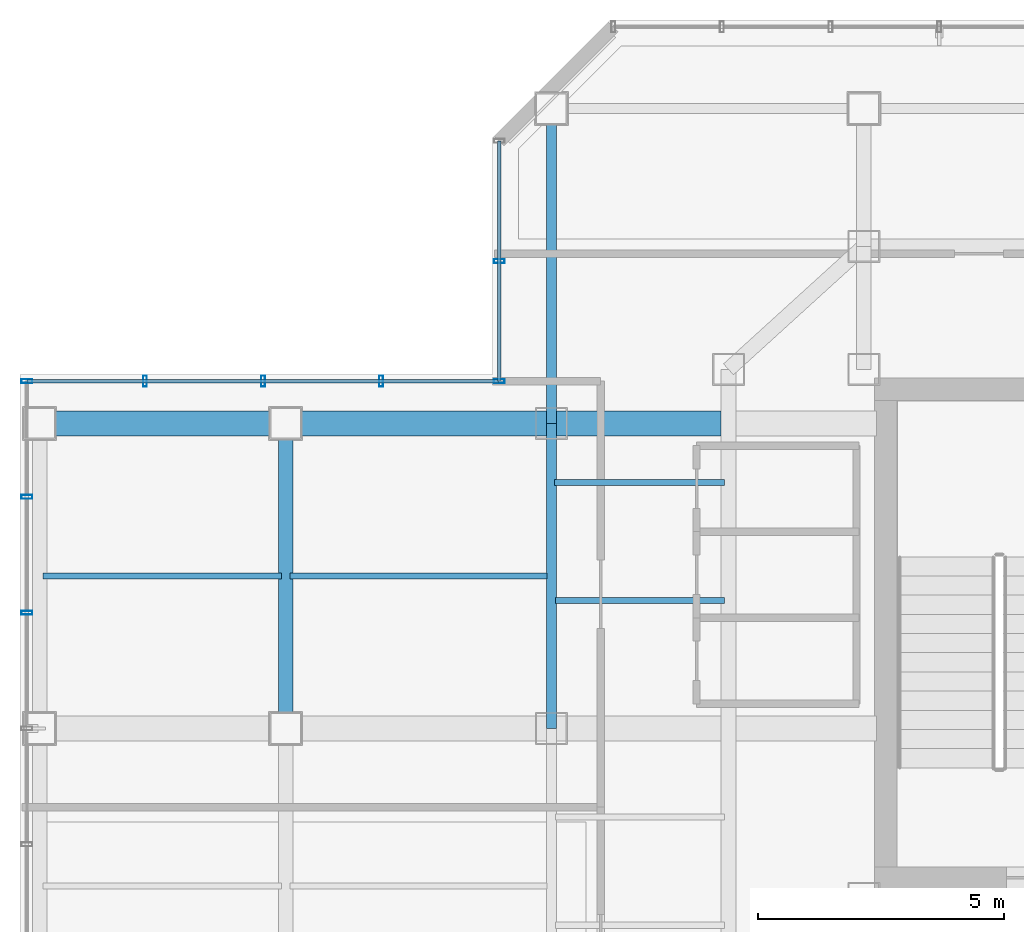
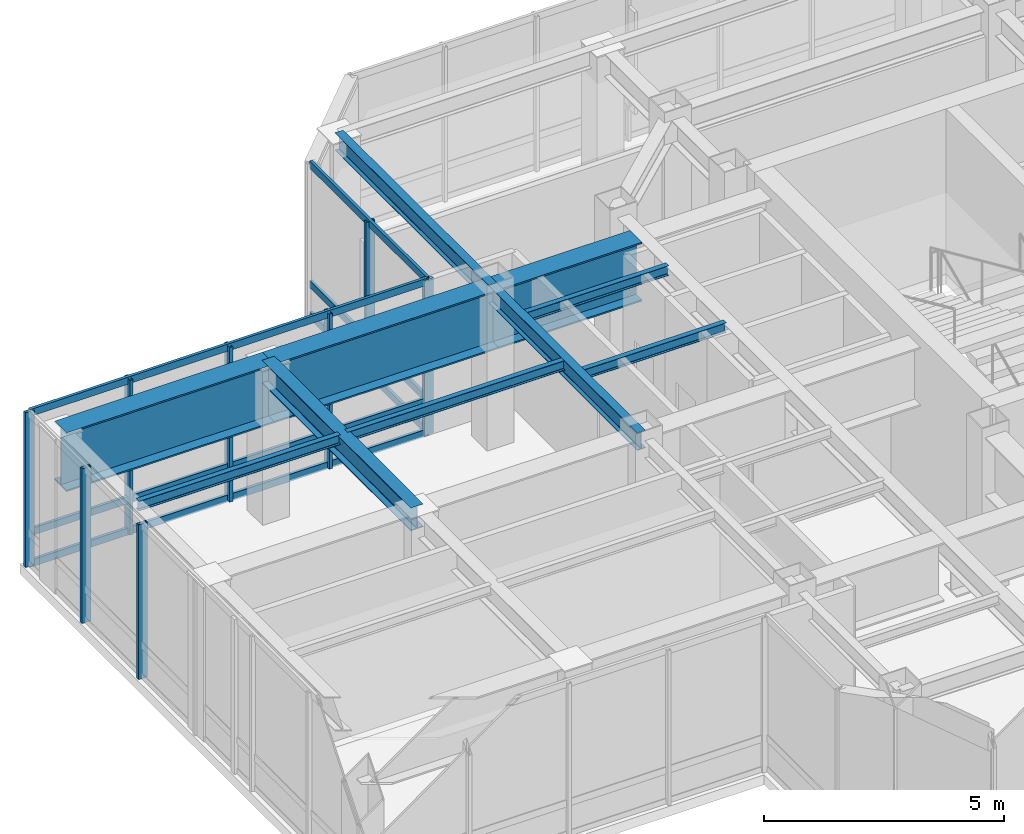
# One storey, part 7 of 22: 14 members, 10 beams, 3 elements without a shape of their own.
"""IFC4 building model written with IfcOpenShell, lengths in metres."""

import ifcopenshell
import ifcopenshell.guid

model = None  # the IFC model being written
_history = None  # IfcOwnerHistory: only IFC2X3 demands one
_inside = {}  # id of a spatial element -> (the spatial element, [elements in it])
_under = {}  # id of a project, library or spatial element -> (it, [spatial elements below it])
_declared = {}  # id of a project -> (the project, [libraries it declares])
_typed = {}  # id of a type object -> (the type object, [elements of that type])
_made_of = {}  # id of a material, layer set ... -> (it, [elements and type objects made of it])


def new_model(schema):
    """Start an empty IFC model of exactly this schema.

    Asked for "IFC4X3", IfcOpenShell would pick the latest addendum, in which some entities
    have other attributes; the version numbers below select the first issue.
    IFC2X3 requires an IfcOwnerHistory on every rooted entity: one is made here for all.
    """
    global model, _history
    if schema == "IFC4X3":
        model = ifcopenshell.file(schema_version=(4, 3, 0, 0))
    else:
        model = ifcopenshell.file(schema=schema)
    _inside.clear()
    _under.clear()
    _declared.clear()
    _typed.clear()
    _made_of.clear()
    _history = None
    if model.schema == "IFC2X3":
        org = make("IfcOrganization", Name="unknown")
        user = make(
            "IfcPersonAndOrganization",
            ThePerson=make("IfcPerson", FamilyName="unknown"),
            TheOrganization=org,
        )
        app = make(
            "IfcApplication",
            ApplicationDeveloper=org,
            Version="unknown",
            ApplicationFullName="unknown",
            ApplicationIdentifier="unknown",
        )
        _history = make(
            "IfcOwnerHistory",
            OwningUser=user,
            OwningApplication=app,
            ChangeAction="ADDED",
            CreationDate=0,
        )
    return model


def make(cls, **values):
    """One entity of the class cls with the attributes given. An attribute that is None is left unset."""
    return model.create_entity(
        cls, **{name: value for name, value in values.items() if value is not None}
    )


def rooted(cls, **values):
    """An entity with a GlobalId (a new one), such as an element, a storey or a relation."""
    return make(cls, GlobalId=ifcopenshell.guid.new(), OwnerHistory=_history, **values)


def si_unit(unit_type, name, prefix=None):
    """IfcSIUnit, for example si_unit("LENGTHUNIT", "METRE", prefix="MILLI")."""
    return make("IfcSIUnit", UnitType=unit_type, Prefix=prefix, Name=name)


def assignment(units):
    """IfcUnitAssignment: the units of a project."""
    return None if units is None else make("IfcUnitAssignment", Units=units)


def point(xyz):
    """IfcCartesianPoint."""
    return None if xyz is None else make("IfcCartesianPoint", Coordinates=xyz)


def direction(xyz):
    """IfcDirection."""
    return None if xyz is None else make("IfcDirection", DirectionRatios=xyz)


def frame(location, z_axis=None, x_axis=None):
    """IfcAxis2Placement3D, a coordinate frame: its origin and axes. An axis left out is left unset."""
    return make(
        "IfcAxis2Placement3D",
        Location=point(location),
        Axis=direction(z_axis),
        RefDirection=direction(x_axis),
    )


def frame_2d(location, x_axis=None):
    """IfcAxis2Placement2D, a coordinate frame in the plane: its origin and x axis."""
    return make(
        "IfcAxis2Placement2D", Location=point(location), RefDirection=direction(x_axis)
    )


def origin():
    """The frame at (0, 0, 0) with its axes left unset."""
    return frame((0.0, 0.0, 0.0))


def origin_2d():
    """The frame at (0, 0) in the plane with its x axis left unset."""
    return frame_2d((0.0, 0.0))


def place(relative_to, where):
    """IfcLocalPlacement: puts the frame where relative to a parent placement (None: the world)."""
    return make(
        "IfcLocalPlacement", PlacementRelTo=relative_to, RelativePlacement=where
    )


def context(
    kind, dimensions, precision=None, world=None, true_north=None, identifier=None
):
    """IfcGeometricRepresentationContext, for example the 3D "Model" context."""
    return make(
        "IfcGeometricRepresentationContext",
        ContextIdentifier=identifier,
        ContextType=kind,
        CoordinateSpaceDimension=dimensions,
        Precision=precision,
        WorldCoordinateSystem=world,
        TrueNorth=true_north,
    )


def subcontext(parent, identifier, kind, view, scale=None):
    """IfcGeometricRepresentationSubContext, for example "Body" below "Model"."""
    return make(
        "IfcGeometricRepresentationSubContext",
        ContextIdentifier=identifier,
        ContextType=kind,
        ParentContext=parent,
        TargetScale=scale,
        TargetView=view,
    )


def project(units=None, contexts=None):
    """IfcProject with its units and contexts."""
    return rooted(
        "IfcProject",
        Name="project",
        RepresentationContexts=contexts,
        UnitsInContext=assignment(units),
    )


def spatial(cls, under=None, at=None, **own):
    """A site, building, storey or space (cls), placed at a placement, below another one or the project."""
    s = rooted(cls, ObjectPlacement=at, **own)
    if under is not None:
        _under.setdefault(under.id(), (under, []))[1].append(s)
    return s


def profile(cls, at=None, kind="AREA", **sizes):
    """A parametric profile (cls). Its sizes go by their IFC names, for example OverallWidth=200.0."""
    return make(cls, ProfileType=kind, Position=at, **sizes)


def hollow_rectangle(**sizes):
    """IfcRectangleHollowProfileDef."""
    return profile("IfcRectangleHollowProfileDef", **sizes)


def i_section(**sizes):
    """IfcIShapeProfileDef."""
    return profile("IfcIShapeProfileDef", **sizes)


def extrude(swept, where, along, depth):
    """IfcExtrudedAreaSolid: the profile swept, set in the frame where, extruded along a direction by depth."""
    return make(
        "IfcExtrudedAreaSolid",
        SweptArea=swept,
        Position=where,
        ExtrudedDirection=direction(along),
        Depth=depth,
    )


def shape(context_of_items, identifier, shape_type, items):
    """IfcShapeRepresentation: the items that make up one representation, for example the "Body"."""
    return make(
        "IfcShapeRepresentation",
        ContextOfItems=context_of_items,
        RepresentationIdentifier=identifier,
        RepresentationType=shape_type,
        Items=items,
    )


def material(Name=None, Category=None):
    """IfcMaterial."""
    return make("IfcMaterial", Name=Name, Category=Category)


def layer(
    of_material, thickness, ventilated=None, Name=None, Category=None, Priority=None
):
    """IfcMaterialLayer: one layer of a wall or slab, of a material (None: an air gap)."""
    return make(
        "IfcMaterialLayer",
        Material=of_material,
        LayerThickness=thickness,
        IsVentilated=ventilated,
        Name=Name,
        Category=Category,
        Priority=Priority,
    )


def layer_set(layers, Name=None):
    """IfcMaterialLayerSet."""
    return make("IfcMaterialLayerSet", MaterialLayers=layers, LayerSetName=Name)


def material_profile(
    of_material, cross_section, Name=None, Category=None, Priority=None
):
    """IfcMaterialProfile: a cross section and its material."""
    return make(
        "IfcMaterialProfile",
        Name=Name,
        Material=of_material,
        Profile=cross_section,
        Priority=Priority,
        Category=Category,
    )


def profile_set(profiles, Name=None, composite=None):
    """IfcMaterialProfileSet."""
    return make(
        "IfcMaterialProfileSet",
        Name=Name,
        MaterialProfiles=profiles,
        CompositeProfile=composite,
    )


def made_of(thing, what):
    """Note that an element or type object is made of a material, layer set ...; save() writes the relation."""
    if what is not None:
        _made_of.setdefault(what.id(), (what, []))[1].append(thing)
    return thing


def type_object(cls, material=None, **own):
    """A type object (cls), such as IfcWallType, which elements share."""
    return made_of(rooted(cls, **own), material)


def element(
    cls,
    number,
    at=None,
    inside=None,
    cuts=None,
    type_object=None,
    material=None,
    context=None,
    identifier="Body",
    shape_type=None,
    held_by="IfcProductDefinitionShape",
    body=None,
    shapes=None,
    **own,
):
    """One element of the class cls, such as IfcWall. Its Tag is "e" and its number.

    at: its placement. inside: the storey or other place that contains it. cuts: it is an
    opening in that element (IfcRelVoidsElement). A single representation is given by context,
    identifier, shape_type and body (its items); several are given by shapes. held_by: the class
    of the entity that holds the representations. save() writes the other relations.
    """
    e = rooted(cls, Tag="e%d" % number, ObjectPlacement=at, **own)
    if body is not None:
        shapes = [shape(context, identifier, shape_type, body)]
    if shapes is not None:
        e.Representation = make(held_by, Representations=shapes)
    if inside is not None:
        _inside.setdefault(inside.id(), (inside, []))[1].append(e)
    if cuts is not None:
        rooted(
            "IfcRelVoidsElement", RelatingBuildingElement=cuts, RelatedOpeningElement=e
        )
    if type_object is not None:
        _typed.setdefault(type_object.id(), (type_object, []))[1].append(e)
    return made_of(e, material)


def aggregate(whole, parts):
    """IfcRelAggregates: a whole, such as a stair, and the parts it consists of."""
    return rooted("IfcRelAggregates", RelatingObject=whole, RelatedObjects=parts)


def save(model, path):
    """Write the relations noted so far, then the file.

    IfcRelAggregates (storeys below a building ...), IfcRelContainedInSpatialStructure (elements
    in a storey), IfcRelDefinesByType, IfcRelAssociatesMaterial and IfcRelDeclares: one each for
    every whole, place, type object, material and project.
    """
    for whole, parts in _under.values():
        aggregate(whole, parts)
    for where, things in _inside.values():
        rooted(
            "IfcRelContainedInSpatialStructure",
            RelatedElements=things,
            RelatingStructure=where,
        )
    for kind, things in _typed.values():
        rooted("IfcRelDefinesByType", RelatedObjects=things, RelatingType=kind)
    for what, things in _made_of.values():
        rooted("IfcRelAssociatesMaterial", RelatedObjects=things, RelatingMaterial=what)
    for by, libraries in _declared.values():
        rooted("IfcRelDeclares", RelatingContext=by, RelatedDefinitions=libraries)
    model.write(path)


model = new_model("IFC4")

# Units and contexts
model_context = context("Model", 3, precision=1e-05, world=origin(), true_north=direction((0.0, 1.0)))
body_context = subcontext(model_context, "Body", "Model", "MODEL_VIEW")
ifc_project = project(units=[si_unit("LENGTHUNIT", "METRE"), si_unit("AREAUNIT", "SQUARE_METRE"), si_unit("VOLUMEUNIT", "CUBIC_METRE"), si_unit("PLANEANGLEUNIT", "RADIAN"), si_unit("MASSUNIT", "GRAM", prefix="KILO")], contexts=[model_context])

# Site, building, storey
site_placement = place(None, origin())
site = spatial("IfcSite", under=ifc_project, at=site_placement, CompositionType="ELEMENT")
building_placement = place(site_placement, origin())
building = spatial("IfcBuilding", under=site, at=building_placement, Name="Hatsunagi Terrace Concourse", CompositionType="ELEMENT")
storey_placement = place(building_placement, frame((0.0, 0.0, 261.75)))
storey = spatial("IfcBuildingStorey", under=building, at=storey_placement, Name="L69", CompositionType="ELEMENT", Elevation=261.75)

# Beams
ifc_material_1 = material(Name="Steel SN490B", Category="steel")
ifc_material_profile_1 = material_profile(ifc_material_1, i_section(OverallWidth=0.125, OverallDepth=0.25, WebThickness=0.006103515625, FlangeThickness=0.009033203125, FilletRadius=0.008056640625, at=origin_2d()), Name="H-250x125x6x9")
ifc_profile_set_1 = profile_set([ifc_material_profile_1], Name="Steel SN490B")
beam_type_1 = type_object("IfcBeamType", Name="CrownJoist_H_250x125", PredefinedType="JOIST", material=ifc_profile_set_1)
beam_1_placement = place(storey_placement, frame((19.114990234375, 39.10009765625, 3.824951171875), z_axis=(-1.0, 0.0, 0.0), x_axis=(0.0, -1.0, 0.0)))
element("IfcBeam", 1, at=beam_1_placement, inside=storey, type_object=beam_type_1, Name="Beam J-04 J-L69-SL1-391", PredefinedType="JOIST", context=body_context, shape_type="SweptSolid", body=[
    extrude(i_section(OverallWidth=0.125, OverallDepth=0.25, WebThickness=0.006103515625, FlangeThickness=0.009033203125, FilletRadius=0.008056640625, at=origin_2d()), origin(), (0.0, 0.0, 1.0), 5.22998046875),
])
beam_2_placement = place(storey_placement, frame((13.715087890625, 39.10009765625, 3.824951171875), z_axis=(-1.0, 0.0, 0.0), x_axis=(0.0, -1.0, 0.0)))
element("IfcBeam", 2, at=beam_2_placement, inside=storey, type_object=beam_type_1, Name="Beam J-04 J-L69-SL2-391", PredefinedType="JOIST", context=body_context, shape_type="SweptSolid", body=[
    extrude(i_section(OverallWidth=0.125, OverallDepth=0.25, WebThickness=0.006103515625, FlangeThickness=0.009033203125, FilletRadius=0.008056640625, at=origin_2d()), origin(), (0.0, 0.0, 1.0), 4.85009765625),
])
beam_3_placement = place(storey_placement, frame((19.284912109375, 38.60009765625, 3.824951171875), z_axis=(1.0, 0.0, 0.0), x_axis=(0.0, 1.0, 0.0)))
element("IfcBeam", 3, at=beam_3_placement, inside=storey, type_object=beam_type_1, Name="Beam J-04 J-L69-W-19-386", PredefinedType="JOIST", context=body_context, shape_type="SweptSolid", body=[
    extrude(i_section(OverallWidth=0.125, OverallDepth=0.25, WebThickness=0.006103515625, FlangeThickness=0.009033203125, FilletRadius=0.008056640625, at=origin_2d()), origin(), (0.0, 0.0, 1.0), 3.43017578125),
])
beam_4_placement = place(storey_placement, frame((19.264892578125, 41.0, 3.824951171875), z_axis=(1.0, 0.0, 0.0), x_axis=(0.0, 1.0, 0.0)))
element("IfcBeam", 4, at=beam_4_placement, inside=storey, type_object=beam_type_1, Name="Beam J-04 J-L69-W-19-410", PredefinedType="JOIST", context=body_context, shape_type="SweptSolid", body=[
    extrude(i_section(OverallWidth=0.125, OverallDepth=0.25, WebThickness=0.006103515625, FlangeThickness=0.009033203125, FilletRadius=0.008056640625, at=origin_2d()), origin(), (0.0, 0.0, 1.0), 3.4501953125),
])

# Curtain wall, members
ifc_material_2 = material(Name="Anodised Aluminium Alloy 6063-T5", Category="aluminium")
ifc_layer = layer(ifc_material_2, 0.199951171875)
ifc_layer_set = layer_set([ifc_layer], Name="SkyLobbyAtrium_CW05")
curtain_wall_type = type_object("IfcCurtainWallType", Name="SkyLobbyAtrium_CW05", PredefinedType="NOTDEFINED", material=ifc_layer_set)
curtain_wall_1_placement = place(storey_placement, origin())
curtain_wall_1 = element("IfcCurtainWall", 5, at=curtain_wall_1_placement, inside=storey, type_object=curtain_wall_type, Name="Unitised Curtain Wall CW-05 CW-L69-01", PredefinedType="NOTDEFINED")
ifc_material_3 = material(Name="Anodised Aluminium Alloy 6063-T5", Category="aluminium")
ifc_material_profile_2 = material_profile(ifc_material_3, hollow_rectangle(XDim=0.080078125, YDim=0.219970703125, WallThickness=0.0048828125, at=origin_2d()), Name="ALU-MUL-220x80x5")
ifc_profile_set_2 = profile_set([ifc_material_profile_2], Name="Anodised Aluminium Alloy 6063-T5")
member_type_1 = type_object("IfcMemberType", Name="CurtainWallMullion_Heavy_220x80", PredefinedType="MULLION", material=ifc_profile_set_2)
member_1_placement = place(storey_placement, frame((18.139892578125, 43.06005859375, 0.0), z_axis=(0.0, 0.0, 1.0), x_axis=(0.0, 1.0, 0.0)))
member_1 = element("IfcMember", 6, at=member_1_placement, type_object=member_type_1, Name="Curtain Wall Mullion MUL-01", PredefinedType="MULLION", context=body_context, shape_type="SweptSolid", body=[
    extrude(hollow_rectangle(XDim=0.080078125, YDim=0.219970703125, WallThickness=0.0048828125, at=origin_2d()), origin(), (0.0, 0.0, 1.0), 3.93994140625),
])
member_2_placement = place(storey_placement, frame((18.139892578125, 45.5009765625, 0.0), z_axis=(0.0, 0.0, 1.0), x_axis=(0.0, 1.0, 0.0)))
member_2 = element("IfcMember", 7, at=member_2_placement, type_object=member_type_1, Name="Curtain Wall Mullion MUL-01", PredefinedType="MULLION", context=body_context, shape_type="SweptSolid", body=[
    extrude(hollow_rectangle(XDim=0.080078125, YDim=0.219970703125, WallThickness=0.0048828125, at=origin_2d()), origin(), (0.0, 0.0, 1.0), 3.93994140625),
])

curtain_wall_2_placement = place(storey_placement, origin())
curtain_wall_2 = element("IfcCurtainWall", 8, at=curtain_wall_2_placement, inside=storey, type_object=curtain_wall_type, Name="Unitised Curtain Wall CW-05 CW-L69-15", PredefinedType="NOTDEFINED")
member_3_placement = place(storey_placement, frame((8.5400390625, 38.35302734375, 0.0), z_axis=(0.0, 0.0, 1.0), x_axis=(0.0, 1.0, 0.0)))
member_3 = element("IfcMember", 9, at=member_3_placement, type_object=member_type_1, Name="Curtain Wall Mullion MUL-01", PredefinedType="MULLION", context=body_context, shape_type="SweptSolid", body=[
    extrude(hollow_rectangle(XDim=0.080078125, YDim=0.219970703125, WallThickness=0.0048828125, at=origin_2d()), origin(), (0.0, 0.0, 1.0), 3.93994140625),
])
member_4_placement = place(storey_placement, frame((8.5400390625, 40.70703125, 0.0), z_axis=(0.0, 0.0, 1.0), x_axis=(0.0, 1.0, 0.0)))
member_4 = element("IfcMember", 10, at=member_4_placement, type_object=member_type_1, Name="Curtain Wall Mullion MUL-01", PredefinedType="MULLION", context=body_context, shape_type="SweptSolid", body=[
    extrude(hollow_rectangle(XDim=0.080078125, YDim=0.219970703125, WallThickness=0.0048828125, at=origin_2d()), origin(), (0.0, 0.0, 1.0), 3.93994140625),
])
member_5_placement = place(storey_placement, frame((8.5400390625, 43.06005859375, 0.0), z_axis=(0.0, 0.0, 1.0), x_axis=(0.0, 1.0, 0.0)))
member_5 = element("IfcMember", 11, at=member_5_placement, type_object=member_type_1, Name="Curtain Wall Mullion MUL-01", PredefinedType="MULLION", context=body_context, shape_type="SweptSolid", body=[
    extrude(hollow_rectangle(XDim=0.080078125, YDim=0.219970703125, WallThickness=0.0048828125, at=origin_2d()), origin(), (0.0, 0.0, 1.0), 3.93994140625),
])
aggregate(curtain_wall_2, [member_3, member_4, member_5])

curtain_wall_3_placement = place(storey_placement, origin())
curtain_wall_3 = element("IfcCurtainWall", 12, at=curtain_wall_3_placement, inside=storey, type_object=curtain_wall_type, Name="Unitised Curtain Wall CW-05 CW-L69-16", PredefinedType="NOTDEFINED")
member_6_placement = place(storey_placement, frame((10.93994140625, 43.06005859375, 0.0), z_axis=(0.0, 0.0, 1.0), x_axis=(1.0, 0.0, 0.0)))
member_6 = element("IfcMember", 13, at=member_6_placement, type_object=member_type_1, Name="Curtain Wall Mullion MUL-01", PredefinedType="MULLION", context=body_context, shape_type="SweptSolid", body=[
    extrude(hollow_rectangle(XDim=0.080078125, YDim=0.219970703125, WallThickness=0.0048828125, at=origin_2d()), origin(), (0.0, 0.0, 1.0), 3.93994140625),
])
member_7_placement = place(storey_placement, frame((13.340087890625, 43.06005859375, 0.0), z_axis=(0.0, 0.0, 1.0), x_axis=(1.0, 0.0, 0.0)))
member_7 = element("IfcMember", 14, at=member_7_placement, type_object=member_type_1, Name="Curtain Wall Mullion MUL-01", PredefinedType="MULLION", context=body_context, shape_type="SweptSolid", body=[
    extrude(hollow_rectangle(XDim=0.080078125, YDim=0.219970703125, WallThickness=0.0048828125, at=origin_2d()), origin(), (0.0, 0.0, 1.0), 3.93994140625),
])
member_8_placement = place(storey_placement, frame((15.739990234375, 43.06005859375, 0.0), z_axis=(0.0, 0.0, 1.0), x_axis=(1.0, 0.0, 0.0)))
member_8 = element("IfcMember", 15, at=member_8_placement, type_object=member_type_1, Name="Curtain Wall Mullion MUL-01", PredefinedType="MULLION", context=body_context, shape_type="SweptSolid", body=[
    extrude(hollow_rectangle(XDim=0.080078125, YDim=0.219970703125, WallThickness=0.0048828125, at=origin_2d()), origin(), (0.0, 0.0, 1.0), 3.93994140625),
])

# Member
ifc_material_4 = material(Name="Anodised Aluminium Alloy 6063-T5", Category="aluminium")
ifc_material_profile_3 = material_profile(ifc_material_4, hollow_rectangle(XDim=0.070068359375, YDim=0.179931640625, WallThickness=0.00390625, at=origin_2d()), Name="ALU-TRN-180x70x4")
ifc_profile_set_3 = profile_set([ifc_material_profile_3], Name="Anodised Aluminium Alloy 6063-T5")
member_type_2 = type_object("IfcMemberType", Name="CurtainWallTransom_Heavy_180x70", PredefinedType="USERDEFINED", material=ifc_profile_set_3)
member_9_placement = place(storey_placement, frame((18.139892578125, 43.06005859375, 0.050048828125), z_axis=(0.0, 1.0, 0.0), x_axis=(-1.0, 0.0, 0.0)))
member_9 = element("IfcMember", 16, at=member_9_placement, type_object=member_type_2, Name="Curtain Wall Transom TRN-01", ObjectType="TRANSOM", PredefinedType="USERDEFINED", context=body_context, shape_type="SweptSolid", body=[
    extrude(hollow_rectangle(XDim=0.070068359375, YDim=0.179931640625, WallThickness=0.00390625, at=origin_2d()), origin(), (0.0, 0.0, 1.0), 4.8818359375),
])

member_10_placement = place(storey_placement, frame((18.139892578125, 43.06005859375, 0.85009765625), z_axis=(0.0, 1.0, 0.0), x_axis=(-1.0, 0.0, 0.0)))
member_10 = element("IfcMember", 17, at=member_10_placement, type_object=member_type_2, Name="Curtain Wall Transom TRN-01", ObjectType="TRANSOM", PredefinedType="USERDEFINED", context=body_context, shape_type="SweptSolid", body=[
    extrude(hollow_rectangle(XDim=0.070068359375, YDim=0.179931640625, WallThickness=0.00390625, at=origin_2d()), origin(), (0.0, 0.0, 1.0), 4.8818359375),
])

member_11_placement = place(storey_placement, frame((18.139892578125, 43.06005859375, 3.889892578125), z_axis=(0.0, 1.0, 0.0), x_axis=(-1.0, 0.0, 0.0)))
member_11 = element("IfcMember", 18, at=member_11_placement, type_object=member_type_2, Name="Curtain Wall Transom TRN-01", ObjectType="TRANSOM", PredefinedType="USERDEFINED", context=body_context, shape_type="SweptSolid", body=[
    extrude(hollow_rectangle(XDim=0.070068359375, YDim=0.179931640625, WallThickness=0.00390625, at=origin_2d()), origin(), (0.0, 0.0, 1.0), 4.8818359375),
])

aggregate(curtain_wall_1, [member_1, member_2, member_9, member_10, member_11])

member_12_placement = place(storey_placement, frame((8.5400390625, 43.06005859375, 0.050048828125), z_axis=(1.0, 0.0, 0.0), x_axis=(0.0, 1.0, 0.0)))
member_12 = element("IfcMember", 19, at=member_12_placement, type_object=member_type_2, Name="Curtain Wall Transom TRN-01", ObjectType="TRANSOM", PredefinedType="USERDEFINED", context=body_context, shape_type="SweptSolid", body=[
    extrude(hollow_rectangle(XDim=0.070068359375, YDim=0.179931640625, WallThickness=0.00390625, at=origin_2d()), origin(), (0.0, 0.0, 1.0), 9.599853515625),
])

member_13_placement = place(storey_placement, frame((8.5400390625, 43.06005859375, 0.85009765625), z_axis=(1.0, 0.0, 0.0), x_axis=(0.0, 1.0, 0.0)))
member_13 = element("IfcMember", 20, at=member_13_placement, type_object=member_type_2, Name="Curtain Wall Transom TRN-01", ObjectType="TRANSOM", PredefinedType="USERDEFINED", context=body_context, shape_type="SweptSolid", body=[
    extrude(hollow_rectangle(XDim=0.070068359375, YDim=0.179931640625, WallThickness=0.00390625, at=origin_2d()), origin(), (0.0, 0.0, 1.0), 9.599853515625),
])

member_14_placement = place(storey_placement, frame((8.5400390625, 43.06005859375, 3.889892578125), z_axis=(1.0, 0.0, 0.0), x_axis=(0.0, 1.0, 0.0)))
member_14 = element("IfcMember", 21, at=member_14_placement, type_object=member_type_2, Name="Curtain Wall Transom TRN-01", ObjectType="TRANSOM", PredefinedType="USERDEFINED", context=body_context, shape_type="SweptSolid", body=[
    extrude(hollow_rectangle(XDim=0.070068359375, YDim=0.179931640625, WallThickness=0.00390625, at=origin_2d()), origin(), (0.0, 0.0, 1.0), 9.599853515625),
])

aggregate(curtain_wall_3, [member_6, member_7, member_8, member_12, member_13, member_14])

# Beams
ifc_material_5 = material(Name="Steel SN490B", Category="steel")
ifc_material_profile_4 = material_profile(ifc_material_5, i_section(OverallWidth=0.300048828125, OverallDepth=0.587890625, WebThickness=0.011962890625, FlangeThickness=0.02001953125, FilletRadius=0.01806640625, at=origin_2d()), Name="H-588x300x12x20")
ifc_profile_set_4 = profile_set([ifc_material_profile_4], Name="Steel SN490B")
beam_type_2 = type_object("IfcBeamType", Name="OfficeHighGirder_H_588x300", PredefinedType="BEAM", material=ifc_profile_set_4)
beam_5_placement = place(storey_placement, frame((13.800048828125, 36.0, 3.656005859375), z_axis=(0.0, 1.0, 0.0), x_axis=(-1.0, 0.0, 0.0)))
element("IfcBeam", 22, at=beam_5_placement, inside=storey, type_object=beam_type_2, Name="Beam G-06 SLT-L69-NS-1B", PredefinedType="BEAM", context=body_context, shape_type="SweptSolid", body=[
    extrude(i_section(OverallWidth=0.300048828125, OverallDepth=0.587890625, WebThickness=0.011962890625, FlangeThickness=0.02001953125, FilletRadius=0.01806640625, at=origin_2d()), origin(), (0.0, 0.0, 1.0), 6.199951171875),
])
ifc_material_6 = material(Name="Steel SN490B", Category="steel")
ifc_material_profile_5 = material_profile(ifc_material_6, i_section(OverallWidth=0.199951171875, OverallDepth=0.449951171875, WebThickness=0.009033203125, FlangeThickness=0.013916015625, FilletRadius=0.01611328125, at=origin_2d()), Name="H-450x200x9x14")
ifc_profile_set_5 = profile_set([ifc_material_profile_5], Name="Steel SN490B")
beam_type_3 = type_object("IfcBeamType", Name="PerimeterSpandrel_H_450x200", PredefinedType="SPANDREL", material=ifc_profile_set_5)
beam_6_placement = place(storey_placement, frame((19.199951171875, 36.0, 3.72509765625), z_axis=(0.0, 1.0, 0.0), x_axis=(-1.0, 0.0, 0.0)))
element("IfcBeam", 23, at=beam_6_placement, inside=storey, type_object=beam_type_3, Name="Beam SP-02 BM-L69-NS-19-36", PredefinedType="SPANDREL", context=body_context, shape_type="SweptSolid", body=[
    extrude(i_section(OverallWidth=0.199951171875, OverallDepth=0.449951171875, WebThickness=0.009033203125, FlangeThickness=0.013916015625, FilletRadius=0.01611328125, at=origin_2d()), origin(), (0.0, 0.0, 1.0), 6.199951171875),
])
beam_7_placement = place(storey_placement, frame((19.199951171875, 42.199951171875, 3.72509765625), z_axis=(0.0, 1.0, 0.0), x_axis=(-1.0, 0.0, 0.0)))
element("IfcBeam", 24, at=beam_7_placement, inside=storey, type_object=beam_type_3, Name="Beam SP-02 BM-L69-NS-19-42", PredefinedType="SPANDREL", context=body_context, shape_type="SweptSolid", body=[
    extrude(i_section(OverallWidth=0.199951171875, OverallDepth=0.449951171875, WebThickness=0.009033203125, FlangeThickness=0.013916015625, FilletRadius=0.01611328125, at=origin_2d()), origin(), (0.0, 0.0, 1.0), 6.400146484375),
])
ifc_material_7 = material(Name="Steel SN490C", Category="steel")
ifc_material_profile_6 = material_profile(ifc_material_7, i_section(OverallWidth=0.5, OverallDepth=1.5, WebThickness=0.028076171875, FlangeThickness=0.0380859375, at=origin_2d()), Name="BH-1500x500x28x38")
ifc_profile_set_6 = profile_set([ifc_material_profile_6], Name="Steel SN490C")
beam_type_4 = type_object("IfcBeamType", Name="SkyLoungeTrussGirder_BH_1500x500x28x38", PredefinedType="USERDEFINED", material=ifc_profile_set_6)
beam_8_placement = place(storey_placement, frame((22.64990234375, 42.199951171875, 3.199951171875), z_axis=(-1.0, 0.0, 0.0), x_axis=(0.0, -1.0, 0.0)))
element("IfcBeam", 25, at=beam_8_placement, inside=storey, type_object=beam_type_4, Name="Transfer girder SLT-01 SLT-L69-BSW-3", ObjectType="TRANSFER_GIRDER", PredefinedType="USERDEFINED", context=body_context, shape_type="SweptSolid", body=[
    extrude(i_section(OverallWidth=0.5, OverallDepth=1.5, WebThickness=0.028076171875, FlangeThickness=0.0380859375, at=origin_2d()), origin(), (0.0, 0.0, 1.0), 3.449951171875),
])
beam_9_placement = place(storey_placement, frame((19.199951171875, 42.199951171875, 3.199951171875), z_axis=(-1.0, 0.0, 0.0), x_axis=(0.0, -1.0, 0.0)))
element("IfcBeam", 26, at=beam_9_placement, inside=storey, type_object=beam_type_4, Name="Transfer girder SLT-01 SLT-L69-C1-3", ObjectType="TRANSFER_GIRDER", PredefinedType="USERDEFINED", context=body_context, shape_type="SweptSolid", body=[
    extrude(i_section(OverallWidth=0.5, OverallDepth=1.5, WebThickness=0.028076171875, FlangeThickness=0.0380859375, at=origin_2d()), origin(), (0.0, 0.0, 1.0), 5.39990234375),
])
beam_10_placement = place(storey_placement, frame((13.800048828125, 42.199951171875, 3.199951171875), z_axis=(-1.0, 0.0, 0.0), x_axis=(0.0, -1.0, 0.0)))
element("IfcBeam", 27, at=beam_10_placement, inside=storey, type_object=beam_type_4, Name="Transfer girder SLT-01 SLT-L69-C2-3", ObjectType="TRANSFER_GIRDER", PredefinedType="USERDEFINED", context=body_context, shape_type="SweptSolid", body=[
    extrude(i_section(OverallWidth=0.5, OverallDepth=1.5, WebThickness=0.028076171875, FlangeThickness=0.0380859375, at=origin_2d()), origin(), (0.0, 0.0, 1.0), 5.0),
])

save(model, "model.ifc")
